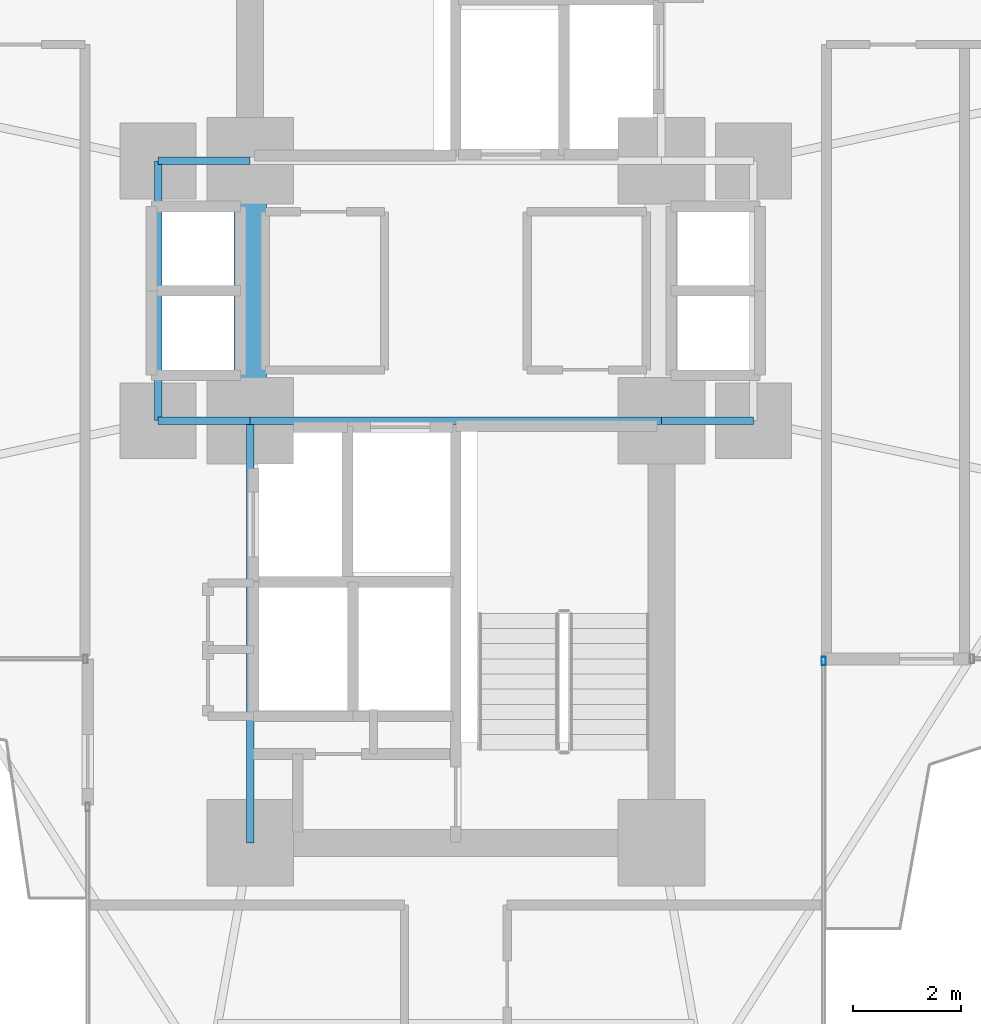
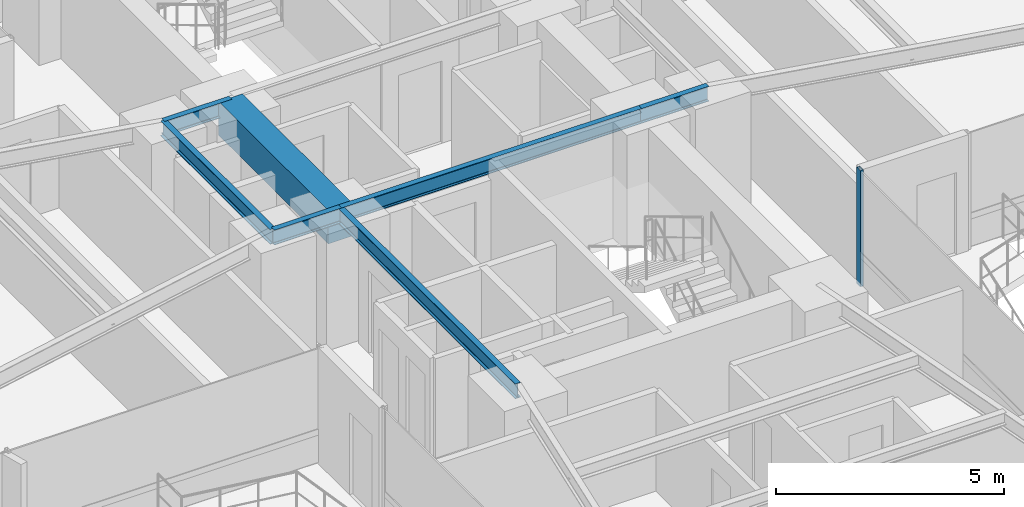
# One storey, part 11 of 26: 7 beams, 1 member, 1 element without a shape of its own.
"""IFC4 building model written with IfcOpenShell, lengths in metres."""

from ifc_helpers import new_model, si_unit, direction, frame, origin, origin_2d, place, context, subcontext, project, spatial, rectangle, hollow_rectangle, i_section, extrude, source, transform, mapped, material, material_profile, profile_set, type_object, element, aggregate, save


model = new_model("IFC4")

# Units and contexts
model_context = context("Model", 3, precision=1e-05, world=origin(), true_north=direction((0.0, 1.0)))
body_context = subcontext(model_context, "Body", "Model", "MODEL_VIEW")
ifc_project = project(units=[si_unit("LENGTHUNIT", "METRE"), si_unit("AREAUNIT", "SQUARE_METRE"), si_unit("VOLUMEUNIT", "CUBIC_METRE"), si_unit("PLANEANGLEUNIT", "RADIAN"), si_unit("MASSUNIT", "GRAM", prefix="KILO")], contexts=[model_context])

# Site, building, storey
site_placement = place(None, origin())
site = spatial("IfcSite", under=ifc_project, at=site_placement, CompositionType="ELEMENT")
building_placement = place(site_placement, origin())
building = spatial("IfcBuilding", under=site, at=building_placement, Name="Sahyath Konkavel Grand Hotel", CompositionType="ELEMENT")
storey_placement = place(building_placement, frame((0.0, 0.0, 61.10009765625)))
storey = spatial("IfcBuildingStorey", under=building, at=storey_placement, Name="L16", CompositionType="ELEMENT", Elevation=61.10009765625)

# Beams
ifc_material_1 = material(Name="Concrete C70/85", Category="concrete")
ifc_material_profile_1 = material_profile(ifc_material_1, rectangle(XDim=0.60009765625, YDim=0.89990234375, at=origin_2d()), Name="RC 600x900")
ifc_profile_set_1 = profile_set([ifc_material_profile_1], Name="Concrete C70/85")
beam_type_1 = type_object("IfcBeamType", Name="BM-CB600x900", PredefinedType="LINTEL", material=ifc_profile_set_1)
shared_shape_1 = source(origin(), body_context, "Body", "SweptSolid", [
    extrude(rectangle(XDim=0.60009765625, YDim=0.89990234375, at=origin_2d()), origin(), (0.0, 0.0, 1.0), 4.7998046875),
])
beam_1_placement = place(storey_placement, frame((-3.800048828125, -2.39990234375, 2.659912109375), z_axis=(0.0, 1.0, 0.0), x_axis=(-1.0, 0.0, 0.0)))
element("IfcBeam", 1, at=beam_1_placement, inside=storey, type_object=beam_type_1, Name="L16 Split-Core Coupling Beam West", PredefinedType="LINTEL", context=body_context, shape_type="MappedRepresentation", body=[
    mapped(shared_shape_1, transform((0.0, 0.0, 0.0), scale=1.0)),
])
ifc_material_2 = material(Name="Steel E350", Category="steel")
ifc_material_profile_2 = material_profile(ifc_material_2, i_section(OverallWidth=0.139892578125, OverallDepth=0.39990234375, WebThickness=0.0087890625, FlangeThickness=0.01611328125, FilletRadius=0.013916015625, at=origin_2d()), Name="ISMB 400")
ifc_profile_set_2 = profile_set([ifc_material_profile_2], Name="Steel E350")
beam_type_2 = type_object("IfcBeamType", Name="BM-ISMB400", PredefinedType="BEAM", material=ifc_profile_set_2)
shared_shape_2 = source(origin(), body_context, "Body", "SweptSolid", [
    extrude(i_section(OverallWidth=0.139892578125, OverallDepth=0.39990234375, WebThickness=0.0087890625, FlangeThickness=0.01611328125, FilletRadius=0.013916015625, at=origin_2d()), origin(), (0.0, 0.0, 1.0), 7.60009765625),
])
beam_2_placement = place(storey_placement, frame((-3.800048828125, -2.39990234375, 2.909912109375), z_axis=(1.0, 0.0, 0.0), x_axis=(0.0, 1.0, 0.0)))
element("IfcBeam", 2, at=beam_2_placement, inside=storey, type_object=beam_type_2, Name="str:bm:L16:SC-N", PredefinedType="BEAM", context=body_context, shape_type="MappedRepresentation", body=[
    mapped(shared_shape_2, transform((0.0, 0.0, 0.0), scale=1.0)),
])
shared_shape_3 = source(origin(), body_context, "Body", "SweptSolid", [
    extrude(i_section(OverallWidth=0.139892578125, OverallDepth=0.39990234375, WebThickness=0.0087890625, FlangeThickness=0.01611328125, FilletRadius=0.013916015625, at=origin_2d()), origin(), (0.0, 0.0, 1.0), 7.800048828125),
])
beam_3_placement = place(storey_placement, frame((-3.800048828125, -10.199951171875, 2.909912109375), z_axis=(0.0, 1.0, 0.0), x_axis=(-1.0, 0.0, 0.0)))
element("IfcBeam", 3, at=beam_3_placement, inside=storey, type_object=beam_type_2, Name="str:bm:L16:SC-W", PredefinedType="BEAM", context=body_context, shape_type="MappedRepresentation", body=[
    mapped(shared_shape_3, transform((0.0, 0.0, 0.0), scale=1.0)),
])
shared_shape_4 = source(origin(), body_context, "Body", "SweptSolid", [
    extrude(i_section(OverallWidth=0.139892578125, OverallDepth=0.39990234375, WebThickness=0.0087890625, FlangeThickness=0.01611328125, FilletRadius=0.013916015625, at=origin_2d()), origin(), (0.0, 0.0, 1.0), 1.699951171875),
])
for number, where, z_axis, x_axis, name in (
    (4, (-5.5, 2.39990234375, 2.909912109375), (1.0, 0.0, 0.0), (0.0, 1.0, 0.0), "str:bm:L16:HB-NW"),
    (5, (-5.5, -2.39990234375, 2.909912109375), (1.0, 0.0, 0.0), (0.0, 1.0, 0.0), "str:bm:L16:HB-SW"),
    (6, (3.800048828125, -2.39990234375, 2.909912109375), (1.0, 0.0, 0.0), (0.0, 1.0, 0.0), "str:bm:L16:HB-SE"),
):
    element("IfcBeam", number, at=place(storey_placement, frame(where, z_axis=z_axis, x_axis=x_axis)), inside=storey, type_object=beam_type_2, Name=name, PredefinedType="BEAM", context=body_context, shape_type="MappedRepresentation", body=[
        mapped(shared_shape_4, transform((0.0, 0.0, 0.0), scale=1.0)),
    ])
shared_shape_5 = source(origin(), body_context, "Body", "SweptSolid", [
    extrude(i_section(OverallWidth=0.139892578125, OverallDepth=0.39990234375, WebThickness=0.0087890625, FlangeThickness=0.01611328125, FilletRadius=0.013916015625, at=origin_2d()), origin(), (0.0, 0.0, 1.0), 4.7998046875),
])
beam_4_placement = place(storey_placement, frame((-5.5, -2.39990234375, 2.909912109375), z_axis=(0.0, 1.0, 0.0), x_axis=(-1.0, 0.0, 0.0)))
element("IfcBeam", 7, at=beam_4_placement, inside=storey, type_object=beam_type_2, Name="str:bm:L16:HB-W", PredefinedType="BEAM", context=body_context, shape_type="MappedRepresentation", body=[
    mapped(shared_shape_5, transform((0.0, 0.0, 0.0), scale=1.0)),
])

# Curtain wall, member
ifc_material_3 = material(Name="Anodised Bronze Aluminium & Low-E Glazing", Category="aluminium")
curtain_wall_type = type_object("IfcCurtainWallType", Name="CW-ZONE1", PredefinedType="NOTDEFINED", material=ifc_material_3)
curtain_wall_placement = place(storey_placement, origin())
curtain_wall = element("IfcCurtainWall", 8, at=curtain_wall_placement, inside=storey, type_object=curtain_wall_type, Name="L16 Unitised Curtain Wall F31", PredefinedType="NOTDEFINED")
ifc_material_4 = material(Name="Anodised Bronze Aluminium", Category="aluminium")
ifc_material_profile_3 = material_profile(ifc_material_4, hollow_rectangle(XDim=0.080078125, YDim=0.159912109375, WallThickness=0.006103515625, at=origin_2d()), Name="RHS 160x80x6")
ifc_profile_set_3 = profile_set([ifc_material_profile_3], Name="Anodised Bronze Aluminium")
member_type = type_object("IfcMemberType", Name="CW-MUL-160", PredefinedType="MULLION", material=ifc_profile_set_3)
shared_shape_6 = source(origin(), body_context, "Body", "SweptSolid", [
    extrude(hollow_rectangle(XDim=0.080078125, YDim=0.159912109375, WallThickness=0.006103515625, at=origin_2d()), origin(), (0.0, 0.0, 1.0), 3.10986328125),
])
member_placement = place(storey_placement, frame((6.800048828125, -6.840087890625, 0.0), z_axis=(0.0, 0.0, 1.0), x_axis=(1.0, 0.0, 0.0)))
member = element("IfcMember", 9, at=member_placement, type_object=member_type, Name="L16 Curtain Wall Mullion F31-2", PredefinedType="MULLION", context=body_context, shape_type="MappedRepresentation", body=[
    mapped(shared_shape_6, transform((0.0, 0.0, 0.0), scale=1.0)),
])
aggregate(curtain_wall, [member])

save(model, "model.ifc")
